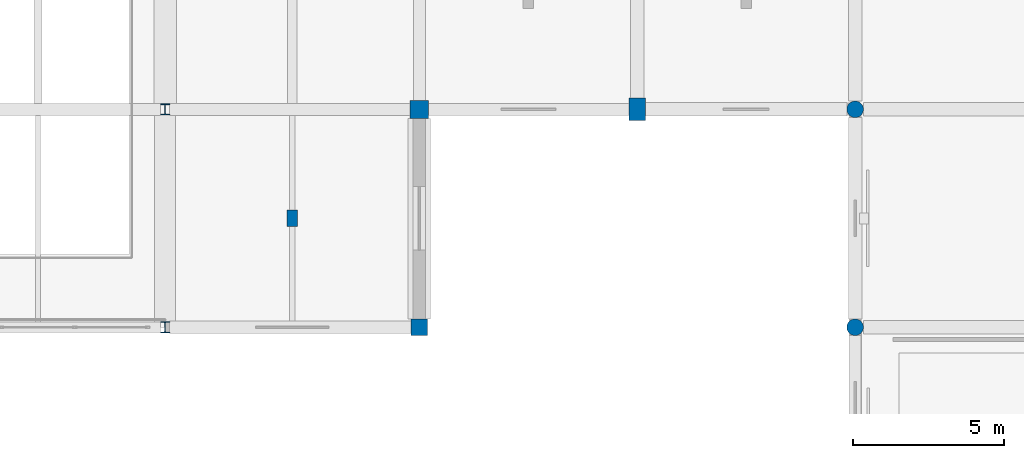
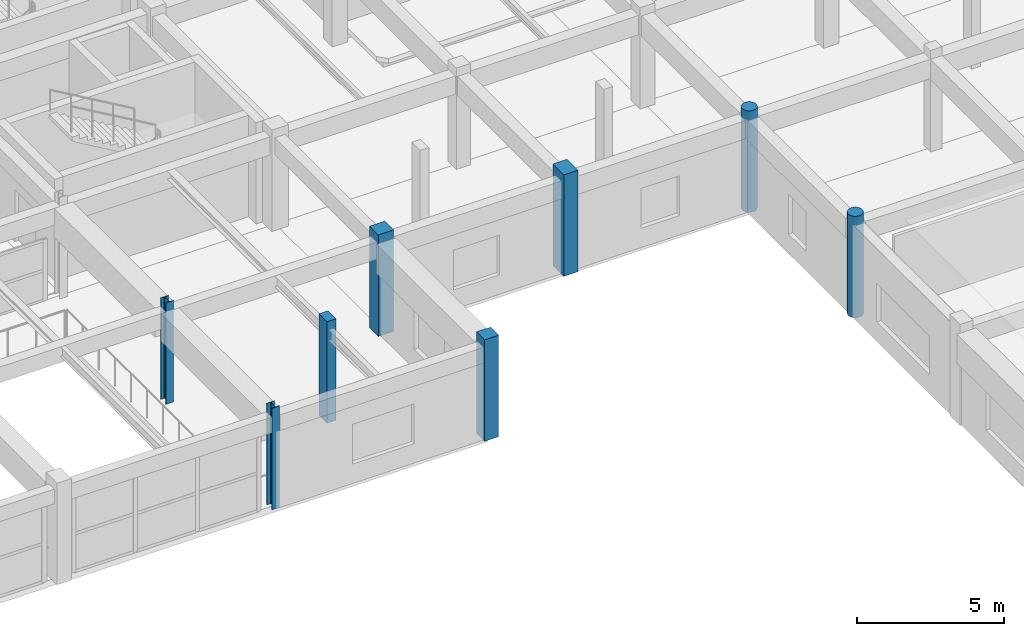
# One storey, part 6 of 71: 8 columns.
"""IFC4 building model written with IfcOpenShell, lengths in metres."""

from ifc_helpers import new_model, si_unit, direction, frame, origin, origin_2d, place, context, subcontext, project, spatial, rectangle, circle, i_section, extrude, material, material_profile, profile_set, type_object, element, save


model = new_model("IFC4")

# Units and contexts
model_context = context("Model", 3, precision=1e-05, world=origin(), true_north=direction((0.0, 1.0)))
body_context = subcontext(model_context, "Body", "Model", "MODEL_VIEW")
ifc_project = project(units=[si_unit("LENGTHUNIT", "METRE"), si_unit("AREAUNIT", "SQUARE_METRE"), si_unit("VOLUMEUNIT", "CUBIC_METRE"), si_unit("PLANEANGLEUNIT", "RADIAN"), si_unit("MASSUNIT", "GRAM", prefix="KILO")], contexts=[model_context])

# Site, building, storey
site_placement = place(None, origin())
site = spatial("IfcSite", under=ifc_project, at=site_placement, CompositionType="ELEMENT")
building_placement = place(site_placement, origin())
building = spatial("IfcBuilding", under=site, at=building_placement, Name="Korsvaeld Concert Hall", CompositionType="ELEMENT")
storey_placement = place(building_placement, frame((0.0, 0.0, 4.800048828125)))
storey = spatial("IfcBuildingStorey", under=building, at=storey_placement, Name="L01", CompositionType="ELEMENT", Elevation=4.800048828125)

# Columns
ifc_material_1 = material(Name="Concrete C40/50", Category="concrete")
ifc_material_profile_1 = material_profile(ifc_material_1, circle(Radius=0.27490234375, at=origin_2d()), Name="RC D550")
ifc_profile_set_1 = profile_set([ifc_material_profile_1], Name="Concrete C40/50")
column_type_1 = type_object("IfcColumnType", Name="COL-COLO-D550", PredefinedType="COLUMN", material=ifc_profile_set_1)
for number, where, z_axis, x_axis, name in (
    (1, (132.0, 28.800048828125, 0.0), (0.0, 0.0, 1.0), (1.0, 0.0, 0.0), "Column 18/E L01"),
    (2, (132.0, 36.0, 0.0), (0.0, 0.0, 1.0), (1.0, 0.0, 0.0), "Column 18/F L01"),
):
    element("IfcColumn", number, at=place(storey_placement, frame(where, z_axis=z_axis, x_axis=x_axis)), inside=storey, type_object=column_type_1, Name=name, PredefinedType="COLUMN", context=body_context, shape_type="SweptSolid", body=[
        extrude(circle(Radius=0.27490234375, at=origin_2d()), origin(), (0.0, 0.0, 1.0), 4.199951171875),
    ])
ifc_material_profile_2 = material_profile(ifc_material_1, rectangle(XDim=0.550048828125, YDim=0.550048828125, at=origin_2d()), Name="RC 550x550")
ifc_profile_set_2 = profile_set([ifc_material_profile_2], Name="Concrete C40/50")
column_type_2 = type_object("IfcColumnType", Name="COL-RC-550x550", PredefinedType="COLUMN", material=ifc_profile_set_2)
column_1_placement = place(storey_placement, frame((117.60009765625, 28.800048828125, 0.0), z_axis=(0.0, 0.0, 1.0), x_axis=(1.0, 0.0, 0.0)))
element("IfcColumn", 3, at=column_1_placement, inside=storey, type_object=column_type_2, Name="Column 16/E L01", PredefinedType="COLUMN", context=body_context, shape_type="SweptSolid", body=[
    extrude(rectangle(XDim=0.550048828125, YDim=0.550048828125, at=origin_2d()), origin(), (0.0, 0.0, 1.0), 4.199951171875),
])
ifc_material_profile_3 = material_profile(ifc_material_1, rectangle(XDim=0.550048828125, YDim=0.75, at=origin_2d()), Name="RC 550x750")
ifc_profile_set_3 = profile_set([ifc_material_profile_3], Name="Concrete C40/50")
column_type_3 = type_object("IfcColumnType", Name="COL-RC-550x750", PredefinedType="COLUMN", material=ifc_profile_set_3)
column_2_placement = place(storey_placement, frame((124.800048828125, 36.0, 0.0), z_axis=(0.0, 0.0, 1.0), x_axis=(1.0, 0.0, 0.0)))
element("IfcColumn", 4, at=column_2_placement, inside=storey, type_object=column_type_3, Name="Column 17/F L01", PredefinedType="COLUMN", context=body_context, shape_type="SweptSolid", body=[
    extrude(rectangle(XDim=0.550048828125, YDim=0.75, at=origin_2d()), origin(), (0.0, 0.0, 1.0), 4.199951171875),
])
ifc_material_profile_4 = material_profile(ifc_material_1, rectangle(XDim=0.60009765625, YDim=0.60009765625, at=origin_2d()), Name="RC 600x600")
ifc_profile_set_4 = profile_set([ifc_material_profile_4], Name="Concrete C40/50")
column_type_4 = type_object("IfcColumnType", Name="COL-RC-600x600", PredefinedType="COLUMN", material=ifc_profile_set_4)
column_3_placement = place(storey_placement, frame((117.60009765625, 36.0, 0.0), z_axis=(0.0, 0.0, 1.0), x_axis=(1.0, 0.0, 0.0)))
element("IfcColumn", 5, at=column_3_placement, inside=storey, type_object=column_type_4, Name="Column 16/F L01", PredefinedType="COLUMN", context=body_context, shape_type="SweptSolid", body=[
    extrude(rectangle(XDim=0.60009765625, YDim=0.60009765625, at=origin_2d()), origin(), (0.0, 0.0, 1.0), 4.199951171875),
])
ifc_material_2 = material(Name="Steel S355J2", Category="steel")
ifc_material_profile_5 = material_profile(ifc_material_2, i_section(OverallWidth=0.300048828125, OverallDepth=0.360107421875, WebThickness=0.012451171875, FlangeThickness=0.0224609375, FilletRadius=0.027099609375, at=origin_2d()), Name="HEB 360")
ifc_profile_set_5 = profile_set([ifc_material_profile_5], Name="Steel S355J2")
column_type_5 = type_object("IfcColumnType", Name="COL-STL-HEB360", PredefinedType="COLUMN", material=ifc_profile_set_5)
for number, where, z_axis, x_axis, name in (
    (6, (109.199951171875, 28.800048828125, 0.0), (0.0, 0.0, 1.0), (1.0, 0.0, 0.0), "Column 15/E L01"),
    (7, (109.199951171875, 36.0, 0.0), (0.0, 0.0, 1.0), (1.0, 0.0, 0.0), "Column 15/F L01"),
):
    element("IfcColumn", number, at=place(storey_placement, frame(where, z_axis=z_axis, x_axis=x_axis)), inside=storey, type_object=column_type_5, Name=name, PredefinedType="COLUMN", context=body_context, shape_type="SweptSolid", body=[
        extrude(i_section(OverallWidth=0.300048828125, OverallDepth=0.360107421875, WebThickness=0.012451171875, FlangeThickness=0.0224609375, FilletRadius=0.027099609375, at=origin_2d()), origin(), (0.0, 0.0, 1.0), 4.199951171875),
    ])
ifc_material_profile_6 = material_profile(ifc_material_1, rectangle(XDim=0.35009765625, YDim=0.550048828125, at=origin_2d()), Name="RC 350x550")
ifc_profile_set_6 = profile_set([ifc_material_profile_6], Name="Concrete C40/50")
column_type_6 = type_object("IfcColumnType", Name="PIL-RC-350x550", PredefinedType="PILASTER", material=ifc_profile_set_6)
column_4_placement = place(storey_placement, frame((113.39990234375, 32.39990234375, 0.0), z_axis=(0.0, 0.0, 1.0), x_axis=(1.0, 0.0, 0.0)))
element("IfcColumn", 8, at=column_4_placement, inside=storey, type_object=column_type_6, Name="Colonnade pilaster PL-04 L01", PredefinedType="PILASTER", context=body_context, shape_type="SweptSolid", body=[
    extrude(rectangle(XDim=0.35009765625, YDim=0.550048828125, at=origin_2d()), origin(), (0.0, 0.0, 1.0), 4.199951171875),
])

save(model, "model.ifc")
